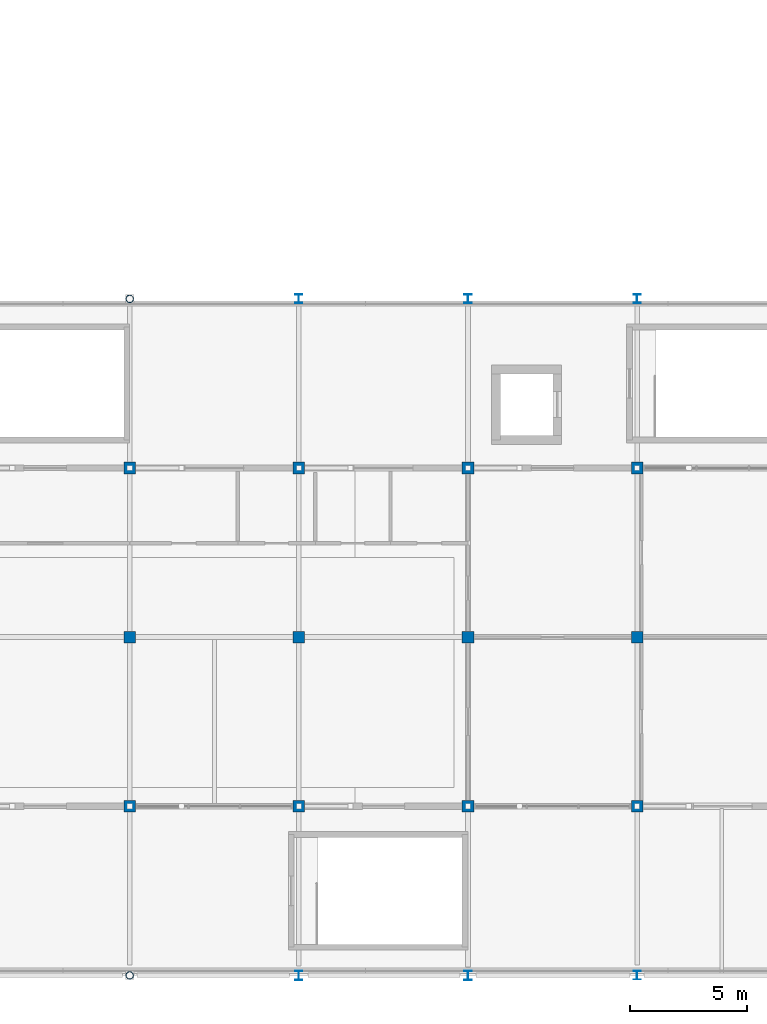
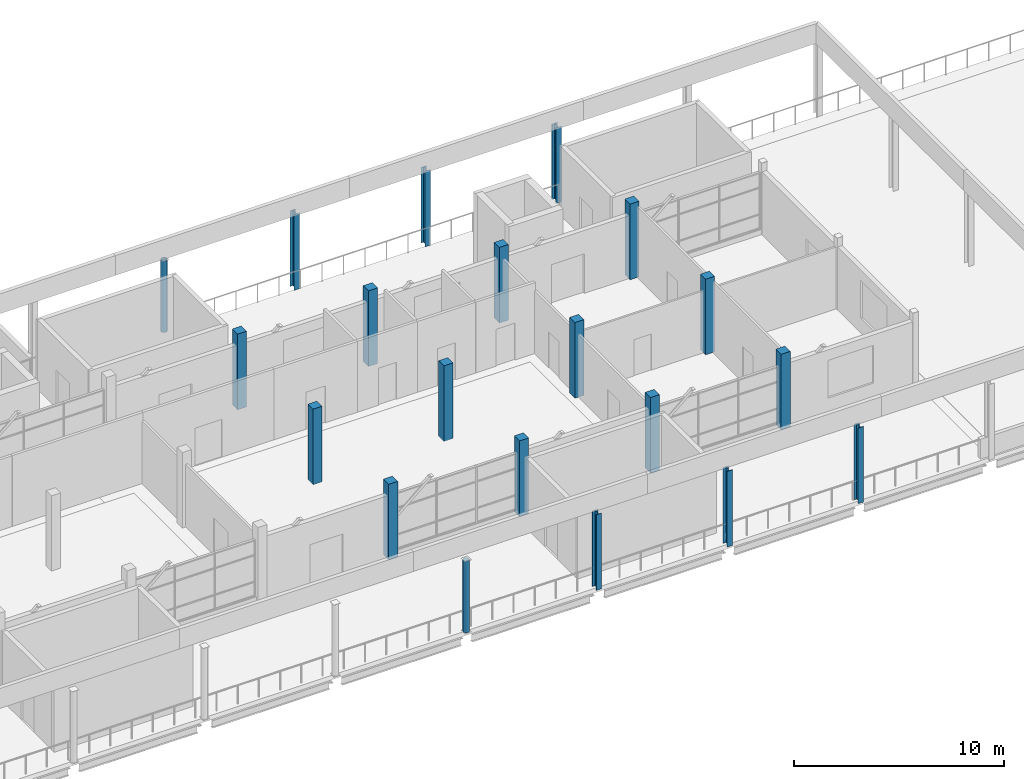
# One storey, part 2 of 32: 20 columns.
"""IFC4 building model written with IfcOpenShell, lengths in metres."""

from ifc_helpers import new_model, si_unit, direction, frame, origin, origin_2d, place, context, subcontext, project, spatial, rectangle, hollow_circle, i_section, extrude, material, material_profile, profile_set, type_object, element, save


model = new_model("IFC4")

# Units and contexts
model_context = context("Model", 3, precision=1e-05, world=origin(), true_north=direction((0.0, 1.0)))
body_context = subcontext(model_context, "Body", "Model", "MODEL_VIEW")
ifc_project = project(units=[si_unit("LENGTHUNIT", "METRE"), si_unit("AREAUNIT", "SQUARE_METRE"), si_unit("VOLUMEUNIT", "CUBIC_METRE"), si_unit("PLANEANGLEUNIT", "RADIAN"), si_unit("MASSUNIT", "GRAM", prefix="KILO")], contexts=[model_context])

# Site, building, storey
site_placement = place(None, origin())
site = spatial("IfcSite", under=ifc_project, at=site_placement, CompositionType="ELEMENT")
building_placement = place(site_placement, origin())
building = spatial("IfcBuilding", under=site, at=building_placement, Name="Sardonyx Promenade Sports Hall", CompositionType="ELEMENT")
storey_placement = place(building_placement, frame((0.0, 0.0, 20.39990234375)))
storey = spatial("IfcBuildingStorey", under=building, at=storey_placement, Name="L04", CompositionType="ELEMENT", Elevation=20.39990234375)

# Columns
ifc_material_1 = material(Name="Steel S355JR", Category="steel")
ifc_material_profile_1 = material_profile(ifc_material_1, hollow_circle(Radius=0.161865234375, WallThickness=0.012451171875, at=origin_2d()))
ifc_profile_set_1 = profile_set([ifc_material_profile_1], Name="Steel S355JR")
column_type_1 = type_object("IfcColumnType", Name="Col_Ext_CHS324", PredefinedType="COLUMN", material=ifc_profile_set_1)
for number, where, z_axis, x_axis, name in (
    (1, (36.0, 0.0, 0.0), (0.0, 0.0, 1.0), (1.0, 0.0, 0.0), "Column CE09 L04 (36.0,0.0)"),
    (2, (36.0, 28.800048828125, 0.0), (0.0, 0.0, 1.0), (1.0, 0.0, 0.0), "Column CE09 L04 (36.0,28.8)"),
):
    element("IfcColumn", number, at=place(storey_placement, frame(where, z_axis=z_axis, x_axis=x_axis)), inside=storey, type_object=column_type_1, Name=name, PredefinedType="COLUMN", context=body_context, shape_type="SweptSolid", body=[
        extrude(hollow_circle(Radius=0.161865234375, WallThickness=0.012451171875, at=origin_2d()), origin(), (0.0, 0.0, 1.0), 4.170166015625),
    ])
ifc_material_2 = material(Name="Steel S355JR", Category="steel")
ifc_material_profile_2 = material_profile(ifc_material_2, i_section(OverallWidth=0.300048828125, OverallDepth=0.389892578125, WebThickness=0.010986328125, FlangeThickness=0.01904296875, at=origin_2d()))
ifc_profile_set_2 = profile_set([ifc_material_profile_2], Name="Steel S355JR")
column_type_2 = type_object("IfcColumnType", Name="Col_Ext_HEA400", PredefinedType="COLUMN", material=ifc_profile_set_2)
for number, where, z_axis, x_axis, name in (
    (3, (43.199951171875, 0.0, 0.0), (0.0, 0.0, 1.0), (1.0, 0.0, 0.0), "Column CE07 L04 (43.2,0.0)"),
    (4, (43.199951171875, 28.800048828125, 0.0), (0.0, 0.0, 1.0), (1.0, 0.0, 0.0), "Column CE07 L04 (43.2,28.8)"),
    (5, (50.39990234375, 0.0, 0.0), (0.0, 0.0, 1.0), (1.0, 0.0, 0.0), "Column CE07 L04 (50.4,0.0)"),
    (6, (50.39990234375, 28.800048828125, 0.0), (0.0, 0.0, 1.0), (1.0, 0.0, 0.0), "Column CE07 L04 (50.4,28.8)"),
    (7, (57.60009765625, 0.0, 0.0), (0.0, 0.0, 1.0), (1.0, 0.0, 0.0), "Column CE07 L04 (57.6,0.0)"),
    (8, (57.60009765625, 28.800048828125, 0.0), (0.0, 0.0, 1.0), (1.0, 0.0, 0.0), "Column CE07 L04 (57.6,28.8)"),
):
    element("IfcColumn", number, at=place(storey_placement, frame(where, z_axis=z_axis, x_axis=x_axis)), inside=storey, type_object=column_type_2, Name=name, PredefinedType="COLUMN", context=body_context, shape_type="SweptSolid", body=[
        extrude(i_section(OverallWidth=0.300048828125, OverallDepth=0.389892578125, WebThickness=0.010986328125, FlangeThickness=0.01904296875, at=origin_2d()), origin(), (0.0, 0.0, 1.0), 4.400146484375),
    ])
ifc_material_3 = material(Name="Concrete C40/50", Category="concrete")
ifc_material_profile_3 = material_profile(ifc_material_3, rectangle(XDim=0.5, YDim=0.5, at=origin_2d()))
ifc_profile_set_3 = profile_set([ifc_material_profile_3], Name="Concrete C40/50")
column_type_3 = type_object("IfcColumnType", Name="Col_Int_RC500", PredefinedType="COLUMN", material=ifc_profile_set_3)
for number, where, z_axis, x_axis, name in (
    (9, (36.0, 7.199951171875, 0.0), (0.0, 0.0, 1.0), (1.0, 0.0, 0.0), "Column CI06 L04 (36.0,7.2)"),
    (10, (36.0, 14.39990234375, 0.0), (0.0, 0.0, 1.0), (1.0, 0.0, 0.0), "Column CI06 L04 (36.0,14.4)"),
    (11, (36.0, 21.60009765625, 0.0), (0.0, 0.0, 1.0), (1.0, 0.0, 0.0), "Column CI06 L04 (36.0,21.6)"),
    (12, (43.199951171875, 7.199951171875, 0.0), (0.0, 0.0, 1.0), (1.0, 0.0, 0.0), "Column CI06 L04 (43.2,7.2)"),
    (13, (43.199951171875, 14.39990234375, 0.0), (0.0, 0.0, 1.0), (1.0, 0.0, 0.0), "Column CI06 L04 (43.2,14.4)"),
    (14, (43.199951171875, 21.60009765625, 0.0), (0.0, 0.0, 1.0), (1.0, 0.0, 0.0), "Column CI06 L04 (43.2,21.6)"),
    (15, (50.39990234375, 7.199951171875, 0.0), (0.0, 0.0, 1.0), (1.0, 0.0, 0.0), "Column CI06 L04 (50.4,7.2)"),
    (16, (50.39990234375, 14.39990234375, 0.0), (0.0, 0.0, 1.0), (1.0, 0.0, 0.0), "Column CI06 L04 (50.4,14.4)"),
    (17, (50.39990234375, 21.60009765625, 0.0), (0.0, 0.0, 1.0), (1.0, 0.0, 0.0), "Column CI06 L04 (50.4,21.6)"),
    (18, (57.60009765625, 7.199951171875, 0.0), (0.0, 0.0, 1.0), (1.0, 0.0, 0.0), "Column CI06 L04 (57.6,7.2)"),
    (19, (57.60009765625, 14.39990234375, 0.0), (0.0, 0.0, 1.0), (1.0, 0.0, 0.0), "Column CI06 L04 (57.6,14.4)"),
    (20, (57.60009765625, 21.60009765625, 0.0), (0.0, 0.0, 1.0), (1.0, 0.0, 0.0), "Column CI06 L04 (57.6,21.6)"),
):
    element("IfcColumn", number, at=place(storey_placement, frame(where, z_axis=z_axis, x_axis=x_axis)), inside=storey, type_object=column_type_3, Name=name, PredefinedType="COLUMN", context=body_context, shape_type="SweptSolid", body=[
        extrude(rectangle(XDim=0.5, YDim=0.5, at=origin_2d()), origin(), (0.0, 0.0, 1.0), 4.400146484375),
    ])

save(model, "model.ifc")
